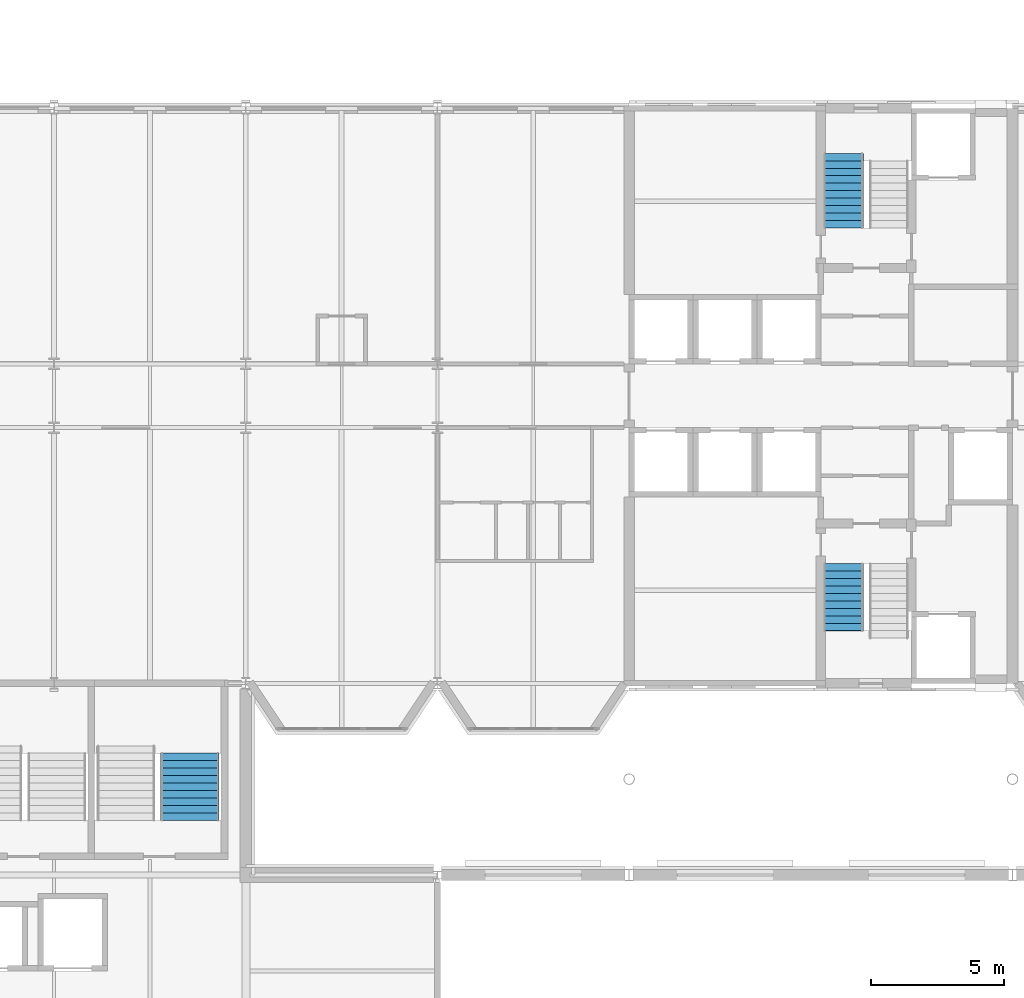
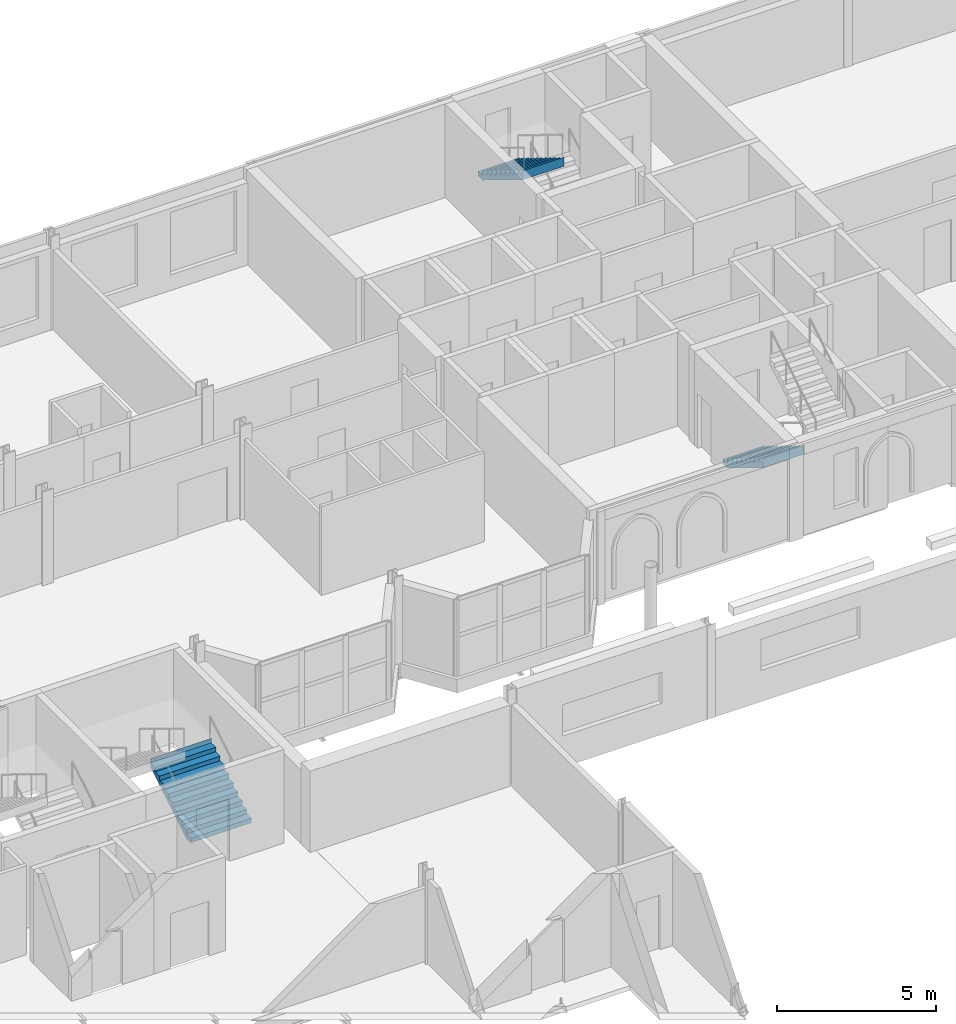
# One storey, part 92 of 124: 3 stair flights, 3 elements without a shape of their own.
"""IFC4 building model written with IfcOpenShell, lengths in metres."""

from ifc_helpers import new_model, si_unit, direction, frame, origin, place, context, subcontext, project, spatial, polyline, outline, extrude, material, type_object, element, aggregate, save


model = new_model("IFC4")

# Units and contexts
model_context = context("Model", 3, precision=1e-05, world=origin(), true_north=direction((0.0, 1.0)))
body_context = subcontext(model_context, "Body", "Model", "MODEL_VIEW")
ifc_project = project(units=[si_unit("LENGTHUNIT", "METRE"), si_unit("AREAUNIT", "SQUARE_METRE"), si_unit("VOLUMEUNIT", "CUBIC_METRE"), si_unit("PLANEANGLEUNIT", "RADIAN"), si_unit("MASSUNIT", "GRAM", prefix="KILO")], contexts=[model_context])

# Site, building, storey
site_placement = place(None, origin())
site = spatial("IfcSite", under=ifc_project, at=site_placement, CompositionType="ELEMENT")
building_placement = place(site_placement, origin())
building = spatial("IfcBuilding", under=site, at=building_placement, Name="Kupolbacken Congress Centre", CompositionType="ELEMENT")
storey_placement = place(building_placement, frame((0.0, 0.0, 10.800048828125)))
storey = spatial("IfcBuildingStorey", under=building, at=storey_placement, Name="L03", CompositionType="ELEMENT", Elevation=10.800048828125)

# Stair, stair flight
ifc_material_1 = material(Name="Concrete C30/37", Category="concrete")
stair_type_1 = type_object("IfcStairType", Name="ST13 stair 2200", PredefinedType="TWO_STRAIGHT_RUN_STAIR", material=ifc_material_1)
stair_1_placement = place(storey_placement, origin())
stair_1 = element("IfcStair", 1, at=stair_1_placement, inside=storey, type_object=stair_type_1, Name="C/stair/PS2NE/L03", PredefinedType="NOTDEFINED")
ifc_material_2 = material(Name="Concrete C30/37", Category="concrete")
stair_flight_type_1 = type_object("IfcStairFlightType", Name="FL13 stair flight 2200 x 10 risers", PredefinedType="STRAIGHT", material=ifc_material_2)
stair_flight_1_placement = place(storey_placement, frame((77.10009765625, 117.2548828125, 0.0), z_axis=(0.0, 0.0, 1.0), x_axis=(0.0, 1.0, 0.0)))
stair_flight_1 = element("IfcStairFlight", 2, at=stair_flight_1_placement, type_object=stair_flight_type_1, Name="PS2NE flight 1", NumberOfRisers=10, NumberOfTreads=9, PredefinedType="STRAIGHT", RiserHeight=0.171428571, TreadLength=0.28, context=body_context, shape_type="SweptSolid", body=[
    extrude(outline(polyline([(0.0, 0.0), (0.0, 0.0009765625), (0.0, 0.002197265625), (0.0, 0.003173828125), (0.0, 0.004150390625), (0.0, 0.00537109375), (0.0, 0.00634765625), (0.0, 0.007568359375), (0.0, 0.008544921875), (0.0, 0.009521484375), (0.0, 0.0107421875), (0.0, 0.01171875), (0.0, 0.0126953125), (0.0, 0.013916015625), (0.0, 0.014892578125), (0.0, 0.015869140625), (0.0, 0.01708984375), (0.0, 0.01806640625), (0.0, 0.019287109375), (0.0, 0.020263671875), (0.0, 0.021240234375), (0.0, 0.0224609375), (0.0, 0.0234375), (0.0, 0.0244140625), (0.0, 0.025634765625), (0.0, 0.026611328125), (0.0, 0.027587890625), (0.0, 0.02880859375), (0.0, 0.02978515625), (0.0, 0.03076171875), (0.0, 0.031982421875), (0.0, 0.032958984375), (0.0, 0.0341796875), (0.0, 0.03515625), (0.0, 0.0361328125), (0.0, 0.037353515625), (0.0, 0.038330078125), (0.0, 0.039306640625), (0.0, 0.04052734375), (0.0, 0.04150390625), (0.0, 0.04248046875), (0.0, 0.043701171875), (0.0, 0.044677734375), (0.0, 0.0458984375), (0.0, 0.046875), (0.0, 0.0478515625), (0.0, 0.049072265625), (0.0, 0.050048828125), (0.0, 0.051025390625), (0.0, 0.05224609375), (0.0, 0.05322265625), (0.0, 0.05419921875), (0.0, 0.055419921875), (0.0, 0.056396484375), (0.0, 0.0576171875), (0.0, 0.05859375), (0.0, 0.0595703125), (0.0, 0.060791015625), (0.0, 0.061767578125), (0.0, 0.062744140625), (0.0, 0.06396484375), (0.0, 0.06494140625), (0.0, 0.06591796875), (0.0, 0.067138671875), (0.0, 0.068115234375), (0.0, 0.069091796875), (0.0, 0.0703125), (0.0, 0.0712890625), (0.0, 0.072509765625), (0.0, 0.073486328125), (0.0, 0.074462890625), (0.0, 0.07568359375), (0.0, 0.07666015625), (0.0, 0.07763671875), (0.0, 0.078857421875), (0.0, 0.079833984375), (0.0, 0.080810546875), (0.0, 0.08203125), (0.0, 0.0830078125), (0.0, 0.084228515625), (0.0, 0.085205078125), (0.0, 0.086181640625), (0.0, 0.08740234375), (0.0, 0.08837890625), (0.0, 0.08935546875), (0.0, 0.090576171875), (0.0, 0.091552734375), (0.0, 0.092529296875), (0.0, 0.09375), (0.0, 0.0947265625), (0.0, 0.095947265625), (0.0, 0.096923828125), (0.0, 0.097900390625), (0.0, 0.09912109375), (0.0, 0.10009765625), (0.0, 0.10107421875), (0.0, 0.102294921875), (0.0, 0.103271484375), (0.0, 0.104248046875), (0.0, 0.10546875), (0.0, 0.1064453125), (0.0, 0.107421875), (0.0, 0.108642578125), (0.0, 0.109619140625), (0.0, 0.11083984375), (0.0, 0.11181640625), (0.0, 0.11279296875), (0.0, 0.114013671875), (0.0, 0.114990234375), (0.0, 0.115966796875), (0.0, 0.1171875), (0.0, 0.1181640625), (0.0, 0.119140625), (0.0, 0.120361328125), (0.0, 0.121337890625), (0.0, 0.12255859375), (0.0, 0.12353515625), (0.0, 0.12451171875), (0.0, 0.125732421875), (0.0, 0.126708984375), (0.0, 0.127685546875), (0.0, 0.12890625), (0.0, 0.1298828125), (0.0, 0.130859375), (0.0, 0.132080078125), (0.0, 0.133056640625), (0.0, 0.13427734375), (0.0, 0.13525390625), (0.0, 0.13623046875), (0.0, 0.137451171875), (0.0, 0.138427734375), (0.0, 0.139404296875), (0.0, 0.140625), (0.0, 0.1416015625), (0.0, 0.142578125), (0.0, 0.143798828125), (0.0, 0.144775390625), (0.0, 0.145751953125), (0.0, 0.14697265625), (0.0, 0.14794921875), (0.0, 0.149169921875), (0.0, 0.150146484375), (0.0, 0.151123046875), (0.0, 0.15234375), (0.0, 0.1533203125), (0.0, 0.154296875), (0.0, 0.155517578125), (0.0, 0.156494140625), (0.0, 0.157470703125), (0.0, 0.15869140625), (0.0, 0.15966796875), (0.0, 0.160888671875), (0.0, 0.161865234375), (0.0, 0.162841796875), (0.0, 0.1640625), (0.0, 0.1650390625), (0.0, 0.166015625), (0.0, 0.167236328125), (0.0, 0.168212890625), (0.0, 0.169189453125), (0.0, 0.17041015625), (0.0, 0.17138671875), (0.280029296875, 0.17138671875), (0.280029296875, 0.3427734375), (0.56005859375, 0.3427734375), (0.56005859375, 0.514404296875), (0.840087890625, 0.514404296875), (0.840087890625, 0.685791015625), (1.1201171875, 0.685791015625), (1.1201171875, 0.857177734375), (1.39990234375, 0.857177734375), (1.39990234375, 1.028564453125), (1.679931640625, 1.028564453125), (1.679931640625, 1.199951171875), (1.9599609375, 1.199951171875), (1.9599609375, 1.371337890625), (2.239990234375, 1.371337890625), (2.239990234375, 1.54296875), (2.52001953125, 1.54296875), (2.52001953125, 1.71435546875), (2.52197265625, 1.71435546875), (2.52197265625, 1.712158203125), (2.52197265625, 1.7099609375), (2.52197265625, 1.707763671875), (2.52197265625, 1.70556640625), (2.52197265625, 1.70361328125), (2.52197265625, 1.701416015625), (2.52197265625, 1.69921875), (2.52197265625, 1.697021484375), (2.52197265625, 1.69482421875), (2.52197265625, 1.692626953125), (2.52197265625, 1.690673828125), (2.52197265625, 1.6884765625), (2.52197265625, 1.686279296875), (2.52197265625, 1.68408203125), (2.52197265625, 1.681884765625), (2.52197265625, 1.6796875), (2.52197265625, 1.677734375), (2.52197265625, 1.675537109375), (2.52197265625, 1.67333984375), (2.52197265625, 1.671142578125), (2.52197265625, 1.6689453125), (2.52197265625, 1.666748046875), (2.52197265625, 1.664794921875), (2.52197265625, 1.66259765625), (2.52197265625, 1.660400390625), (2.52197265625, 1.658203125), (2.52197265625, 1.656005859375), (2.52197265625, 1.65380859375), (2.52197265625, 1.65185546875), (2.52197265625, 1.649658203125), (2.52197265625, 1.6474609375), (2.52197265625, 1.645263671875), (2.52197265625, 1.64306640625), (2.52197265625, 1.640869140625), (2.52197265625, 1.638916015625), (2.52197265625, 1.63671875), (2.52197265625, 1.634521484375), (2.52197265625, 1.63232421875), (2.52197265625, 1.630126953125), (2.52197265625, 1.6279296875), (2.52197265625, 1.6259765625), (2.52197265625, 1.623779296875), (2.52197265625, 1.62158203125), (2.52197265625, 1.619384765625), (2.52197265625, 1.6171875), (2.52197265625, 1.614990234375), (2.52197265625, 1.613037109375), (2.52197265625, 1.61083984375), (2.52197265625, 1.608642578125), (2.52197265625, 1.6064453125), (2.52197265625, 1.604248046875), (2.52197265625, 1.60205078125), (2.52197265625, 1.60009765625), (2.52197265625, 1.597900390625), (2.52197265625, 1.595703125), (2.52197265625, 1.593505859375), (2.52197265625, 1.59130859375), (2.52197265625, 1.589111328125), (2.52197265625, 1.587158203125), (2.52197265625, 1.5849609375), (2.52197265625, 1.582763671875), (2.52197265625, 1.58056640625), (2.52197265625, 1.578369140625), (2.52197265625, 1.576171875), (2.52197265625, 1.57421875), (2.52197265625, 1.572021484375), (2.52197265625, 1.56982421875), (2.52197265625, 1.567626953125), (2.52197265625, 1.5654296875), (2.52197265625, 1.563232421875), (2.52197265625, 1.561279296875), (2.52197265625, 1.55908203125), (2.52197265625, 1.556884765625), (2.52197265625, 1.5546875), (2.52197265625, 1.552490234375), (2.52197265625, 1.55029296875), (2.52197265625, 1.54833984375), (2.52197265625, 1.546142578125), (2.52197265625, 1.5439453125), (2.52197265625, 1.541748046875), (2.52197265625, 1.53955078125), (2.52197265625, 1.537353515625), (2.52197265625, 1.535400390625), (2.52197265625, 1.533203125), (2.52197265625, 1.531005859375), (2.52197265625, 1.52880859375), (2.52197265625, 1.526611328125), (2.52197265625, 1.5244140625), (2.52197265625, 1.5224609375), (2.52197265625, 1.520263671875), (2.52197265625, 1.51806640625), (2.52197265625, 1.515869140625), (2.52197265625, 1.513671875), (2.52197265625, 1.511474609375), (2.52197265625, 1.509521484375), (2.52197265625, 1.50732421875), (2.52197265625, 1.505126953125), (2.52197265625, 1.5029296875), (2.52197265625, 1.500732421875), (2.52197265625, 1.49853515625), (2.52197265625, 1.49658203125), (2.52197265625, 1.494384765625), (2.52197265625, 1.4921875), (2.52197265625, 1.489990234375), (2.52197265625, 1.48779296875), (2.52197265625, 1.485595703125), (2.52197265625, 1.483642578125), (2.52197265625, 1.4814453125), (2.52197265625, 1.479248046875), (2.52197265625, 1.47705078125), (2.52197265625, 1.474853515625), (2.52197265625, 1.47265625), (2.52197265625, 1.470703125), (2.52197265625, 1.468505859375), (2.52197265625, 1.46630859375), (2.52197265625, 1.464111328125), (2.52197265625, 1.4619140625), (2.52197265625, 1.459716796875), (2.52197265625, 1.457763671875), (2.52197265625, 1.45556640625), (2.52197265625, 1.453369140625), (2.52197265625, 1.451171875), (2.52197265625, 1.448974609375), (2.52197265625, 1.44677734375), (2.52197265625, 1.44482421875), (2.52197265625, 1.442626953125), (2.52197265625, 1.4404296875), (2.52197265625, 1.438232421875), (2.52197265625, 1.43603515625), (2.52197265625, 1.433837890625), (2.52197265625, 1.431884765625), (2.52197265625, 1.4296875), (2.52197265625, 1.427490234375), (2.52197265625, 1.42529296875), (2.52197265625, 1.423095703125), (2.52197265625, 1.4208984375), (2.52197265625, 1.4189453125), (2.52197265625, 1.416748046875), (2.52197265625, 1.41455078125), (2.52197265625, 1.412353515625), (2.52197265625, 1.41015625), (2.52197265625, 1.407958984375), (2.52197265625, 1.406005859375), (2.52197265625, 1.40380859375), (2.52197265625, 1.401611328125), (2.52197265625, 1.3994140625), (2.52197265625, 1.397216796875), (2.52197265625, 1.39501953125), (2.52197265625, 1.39306640625), (2.52197265625, 1.390869140625), (2.52197265625, 1.388671875), (2.52197265625, 1.386474609375), (2.52197265625, 1.38427734375), (2.52197265625, 1.382080078125), (2.52197265625, 1.380126953125), (2.52197265625, 1.3779296875), (2.52197265625, 1.375732421875), (2.52197265625, 1.37353515625), (2.52197265625, 1.371337890625), (2.52197265625, 1.369140625), (2.52197265625, 1.3671875), (0.2890625, 0.0), (0.0, 0.0)])), frame((0.0, 1.10009765625, 0.0), z_axis=(0.0, -1.0, 0.0), x_axis=(1.0, 0.0, 0.0)), (0.0, 0.0, 1.0), 2.199951171875),
])
aggregate(stair_1, [stair_flight_1])

ifc_material_3 = material(Name="Steel S355", Category="steel")
stair_type_2 = type_object("IfcStairType", Name="ST2 stair 1500", PredefinedType="TWO_STRAIGHT_RUN_STAIR", material=ifc_material_3)
stair_2_placement = place(storey_placement, origin())
stair_2 = element("IfcStair", 3, at=stair_2_placement, inside=storey, type_object=stair_type_2, Name="C/stair/TS1/L03", PredefinedType="NOTDEFINED")
ifc_material_4 = material(Name="Steel S355", Category="steel")
stair_flight_type_2 = type_object("IfcStairFlightType", Name="FL3 stair flight 1500 x 10 risers", PredefinedType="STRAIGHT", material=ifc_material_4)
stair_flight_2_placement = place(storey_placement, frame((101.64990234375, 126.89501953125, 0.0), z_axis=(0.0, 0.0, 1.0), x_axis=(0.0, -1.0, 0.0)))
stair_flight_2 = element("IfcStairFlight", 4, at=stair_flight_2_placement, type_object=stair_flight_type_2, Name="TS1 flight 1", NumberOfRisers=10, NumberOfTreads=9, PredefinedType="STRAIGHT", RiserHeight=0.171428571, TreadLength=0.28, context=body_context, shape_type="SweptSolid", body=[
    extrude(outline(polyline([(0.0, 0.0), (0.0, 0.0009765625), (0.0, 0.002197265625), (0.0, 0.003173828125), (0.0, 0.004150390625), (0.0, 0.00537109375), (0.0, 0.00634765625), (0.0, 0.007568359375), (0.0, 0.008544921875), (0.0, 0.009521484375), (0.0, 0.0107421875), (0.0, 0.01171875), (0.0, 0.0126953125), (0.0, 0.013916015625), (0.0, 0.014892578125), (0.0, 0.015869140625), (0.0, 0.01708984375), (0.0, 0.01806640625), (0.0, 0.019287109375), (0.0, 0.020263671875), (0.0, 0.021240234375), (0.0, 0.0224609375), (0.0, 0.0234375), (0.0, 0.0244140625), (0.0, 0.025634765625), (0.0, 0.026611328125), (0.0, 0.027587890625), (0.0, 0.02880859375), (0.0, 0.02978515625), (0.0, 0.03076171875), (0.0, 0.031982421875), (0.0, 0.032958984375), (0.0, 0.0341796875), (0.0, 0.03515625), (0.0, 0.0361328125), (0.0, 0.037353515625), (0.0, 0.038330078125), (0.0, 0.039306640625), (0.0, 0.04052734375), (0.0, 0.04150390625), (0.0, 0.04248046875), (0.0, 0.043701171875), (0.0, 0.044677734375), (0.0, 0.0458984375), (0.0, 0.046875), (0.0, 0.0478515625), (0.0, 0.049072265625), (0.0, 0.050048828125), (0.0, 0.051025390625), (0.0, 0.05224609375), (0.0, 0.05322265625), (0.0, 0.05419921875), (0.0, 0.055419921875), (0.0, 0.056396484375), (0.0, 0.0576171875), (0.0, 0.05859375), (0.0, 0.0595703125), (0.0, 0.060791015625), (0.0, 0.061767578125), (0.0, 0.062744140625), (0.0, 0.06396484375), (0.0, 0.06494140625), (0.0, 0.06591796875), (0.0, 0.067138671875), (0.0, 0.068115234375), (0.0, 0.069091796875), (0.0, 0.0703125), (0.0, 0.0712890625), (0.0, 0.072509765625), (0.0, 0.073486328125), (0.0, 0.074462890625), (0.0, 0.07568359375), (0.0, 0.07666015625), (0.0, 0.07763671875), (0.0, 0.078857421875), (0.0, 0.079833984375), (0.0, 0.080810546875), (0.0, 0.08203125), (0.0, 0.0830078125), (0.0, 0.084228515625), (0.0, 0.085205078125), (0.0, 0.086181640625), (0.0, 0.08740234375), (0.0, 0.08837890625), (0.0, 0.08935546875), (0.0, 0.090576171875), (0.0, 0.091552734375), (0.0, 0.092529296875), (0.0, 0.09375), (0.0, 0.0947265625), (0.0, 0.095947265625), (0.0, 0.096923828125), (0.0, 0.097900390625), (0.0, 0.09912109375), (0.0, 0.10009765625), (0.0, 0.10107421875), (0.0, 0.102294921875), (0.0, 0.103271484375), (0.0, 0.104248046875), (0.0, 0.10546875), (0.0, 0.1064453125), (0.0, 0.107421875), (0.0, 0.108642578125), (0.0, 0.109619140625), (0.0, 0.11083984375), (0.0, 0.11181640625), (0.0, 0.11279296875), (0.0, 0.114013671875), (0.0, 0.114990234375), (0.0, 0.115966796875), (0.0, 0.1171875), (0.0, 0.1181640625), (0.0, 0.119140625), (0.0, 0.120361328125), (0.0, 0.121337890625), (0.0, 0.12255859375), (0.0, 0.12353515625), (0.0, 0.12451171875), (0.0, 0.125732421875), (0.0, 0.126708984375), (0.0, 0.127685546875), (0.0, 0.12890625), (0.0, 0.1298828125), (0.0, 0.130859375), (0.0, 0.132080078125), (0.0, 0.133056640625), (0.0, 0.13427734375), (0.0, 0.13525390625), (0.0, 0.13623046875), (0.0, 0.137451171875), (0.0, 0.138427734375), (0.0, 0.139404296875), (0.0, 0.140625), (0.0, 0.1416015625), (0.0, 0.142578125), (0.0, 0.143798828125), (0.0, 0.144775390625), (0.0, 0.145751953125), (0.0, 0.14697265625), (0.0, 0.14794921875), (0.0, 0.149169921875), (0.0, 0.150146484375), (0.0, 0.151123046875), (0.0, 0.15234375), (0.0, 0.1533203125), (0.0, 0.154296875), (0.0, 0.155517578125), (0.0, 0.156494140625), (0.0, 0.157470703125), (0.0, 0.15869140625), (0.0, 0.15966796875), (0.0, 0.160888671875), (0.0, 0.161865234375), (0.0, 0.162841796875), (0.0, 0.1640625), (0.0, 0.1650390625), (0.0, 0.166015625), (0.0, 0.167236328125), (0.0, 0.168212890625), (0.0, 0.169189453125), (0.0, 0.17041015625), (0.0, 0.17138671875), (0.280029296875, 0.17138671875), (0.280029296875, 0.3427734375), (0.56005859375, 0.3427734375), (0.56005859375, 0.514404296875), (0.840087890625, 0.514404296875), (0.840087890625, 0.685791015625), (1.1201171875, 0.685791015625), (1.1201171875, 0.857177734375), (1.39990234375, 0.857177734375), (1.39990234375, 1.028564453125), (1.679931640625, 1.028564453125), (1.679931640625, 1.199951171875), (1.9599609375, 1.199951171875), (1.9599609375, 1.371337890625), (2.239990234375, 1.371337890625), (2.239990234375, 1.54296875), (2.52001953125, 1.54296875), (2.52001953125, 1.71435546875), (2.52197265625, 1.71435546875), (2.52197265625, 1.712158203125), (2.52197265625, 1.7099609375), (2.52197265625, 1.707763671875), (2.52197265625, 1.70556640625), (2.52197265625, 1.70361328125), (2.52197265625, 1.701416015625), (2.52197265625, 1.69921875), (2.52197265625, 1.697021484375), (2.52197265625, 1.69482421875), (2.52197265625, 1.692626953125), (2.52197265625, 1.690673828125), (2.52197265625, 1.6884765625), (2.52197265625, 1.686279296875), (2.52197265625, 1.68408203125), (2.52197265625, 1.681884765625), (2.52197265625, 1.6796875), (2.52197265625, 1.677734375), (2.52197265625, 1.675537109375), (2.52197265625, 1.67333984375), (2.52197265625, 1.671142578125), (2.52197265625, 1.6689453125), (2.52197265625, 1.666748046875), (2.52197265625, 1.664794921875), (2.52197265625, 1.66259765625), (2.52197265625, 1.660400390625), (2.52197265625, 1.658203125), (2.52197265625, 1.656005859375), (2.52197265625, 1.65380859375), (2.52197265625, 1.65185546875), (2.52197265625, 1.649658203125), (2.52197265625, 1.6474609375), (2.52197265625, 1.645263671875), (2.52197265625, 1.64306640625), (2.52197265625, 1.640869140625), (2.52197265625, 1.638916015625), (2.52197265625, 1.63671875), (2.52197265625, 1.634521484375), (2.52197265625, 1.63232421875), (2.52197265625, 1.630126953125), (2.52197265625, 1.6279296875), (2.52197265625, 1.6259765625), (2.52197265625, 1.623779296875), (2.52197265625, 1.62158203125), (2.52197265625, 1.619384765625), (2.52197265625, 1.6171875), (2.52197265625, 1.614990234375), (2.52197265625, 1.613037109375), (2.52197265625, 1.61083984375), (2.52197265625, 1.608642578125), (2.52197265625, 1.6064453125), (2.52197265625, 1.604248046875), (2.52197265625, 1.60205078125), (2.52197265625, 1.60009765625), (2.52197265625, 1.597900390625), (2.52197265625, 1.595703125), (2.52197265625, 1.593505859375), (2.52197265625, 1.59130859375), (2.52197265625, 1.589111328125), (2.52197265625, 1.587158203125), (2.52197265625, 1.5849609375), (2.52197265625, 1.582763671875), (2.52197265625, 1.58056640625), (2.52197265625, 1.578369140625), (2.52197265625, 1.576171875), (2.52197265625, 1.57421875), (2.52197265625, 1.572021484375), (2.52197265625, 1.56982421875), (2.52197265625, 1.567626953125), (2.52197265625, 1.5654296875), (2.52197265625, 1.563232421875), (2.52197265625, 1.561279296875), (2.52197265625, 1.55908203125), (2.52197265625, 1.556884765625), (2.52197265625, 1.5546875), (2.52197265625, 1.552490234375), (2.52197265625, 1.55029296875), (2.52197265625, 1.54833984375), (2.52197265625, 1.546142578125), (2.52197265625, 1.5439453125), (2.52197265625, 1.541748046875), (2.52197265625, 1.53955078125), (2.52197265625, 1.537353515625), (2.52197265625, 1.535400390625), (2.52197265625, 1.533203125), (2.52197265625, 1.531005859375), (2.52197265625, 1.52880859375), (2.52197265625, 1.526611328125), (2.52197265625, 1.5244140625), (2.52197265625, 1.5224609375), (2.52197265625, 1.520263671875), (2.52197265625, 1.51806640625), (2.52197265625, 1.515869140625), (2.52197265625, 1.513671875), (2.52197265625, 1.511474609375), (2.52197265625, 1.509521484375), (2.52197265625, 1.50732421875), (2.52197265625, 1.505126953125), (2.52197265625, 1.5029296875), (2.52197265625, 1.500732421875), (2.52197265625, 1.49853515625), (2.52197265625, 1.49658203125), (2.52197265625, 1.494384765625), (2.52197265625, 1.4921875), (2.52197265625, 1.489990234375), (2.52197265625, 1.48779296875), (2.52197265625, 1.485595703125), (2.52197265625, 1.483642578125), (2.52197265625, 1.4814453125), (2.52197265625, 1.479248046875), (2.52197265625, 1.47705078125), (2.52197265625, 1.474853515625), (2.52197265625, 1.47265625), (2.52197265625, 1.470703125), (2.52197265625, 1.468505859375), (2.52197265625, 1.46630859375), (2.52197265625, 1.464111328125), (2.52197265625, 1.4619140625), (2.52197265625, 1.459716796875), (2.52197265625, 1.457763671875), (2.52197265625, 1.45556640625), (2.52197265625, 1.453369140625), (2.52197265625, 1.451171875), (2.52197265625, 1.448974609375), (2.52197265625, 1.44677734375), (2.52197265625, 1.44482421875), (2.52197265625, 1.442626953125), (2.52197265625, 1.4404296875), (2.52197265625, 1.438232421875), (2.52197265625, 1.43603515625), (2.52197265625, 1.433837890625), (2.52197265625, 1.431884765625), (2.52197265625, 1.4296875), (2.52197265625, 1.427490234375), (2.52197265625, 1.42529296875), (2.52197265625, 1.423095703125), (2.52197265625, 1.4208984375), (2.52197265625, 1.4189453125), (2.52197265625, 1.416748046875), (2.52197265625, 1.41455078125), (2.52197265625, 1.412353515625), (2.52197265625, 1.41015625), (2.52197265625, 1.407958984375), (2.52197265625, 1.406005859375), (2.52197265625, 1.40380859375), (2.52197265625, 1.401611328125), (2.52197265625, 1.3994140625), (2.52197265625, 1.397216796875), (2.52197265625, 1.39501953125), (2.52197265625, 1.39306640625), (2.52197265625, 1.390869140625), (2.52197265625, 1.388671875), (2.52197265625, 1.386474609375), (2.52197265625, 1.38427734375), (2.52197265625, 1.382080078125), (2.52197265625, 1.380126953125), (2.52197265625, 1.3779296875), (2.52197265625, 1.375732421875), (2.52197265625, 1.37353515625), (2.52197265625, 1.371337890625), (2.52197265625, 1.369140625), (2.52197265625, 1.3671875), (0.2890625, 0.0), (0.0, 0.0)])), frame((0.0, 0.75, 0.0), z_axis=(0.0, -1.0, 0.0), x_axis=(1.0, 0.0, 0.0)), (0.0, 0.0, 1.0), 1.5),
])
aggregate(stair_2, [stair_flight_2])

stair_3_placement = place(storey_placement, origin())
stair_3 = element("IfcStair", 5, at=stair_3_placement, inside=storey, type_object=stair_type_2, Name="C/stair/TS2/L03", PredefinedType="NOTDEFINED")
ifc_material_5 = material(Name="Steel S355", Category="steel")
stair_flight_type_3 = type_object("IfcStairFlightType", Name="FL4 stair flight 1500 x 11 risers", PredefinedType="STRAIGHT", material=ifc_material_5)
stair_flight_3_placement = place(storey_placement, frame((101.64990234375, 142.304931640625, 1.71435546875), z_axis=(0.0, 0.0, 1.0), x_axis=(0.0, -1.0, 0.0)))
stair_flight_3 = element("IfcStairFlight", 6, at=stair_flight_3_placement, type_object=stair_flight_type_3, Name="TS2 flight 2", NumberOfRisers=11, NumberOfTreads=10, PredefinedType="STRAIGHT", RiserHeight=0.171428571, TreadLength=0.28, context=body_context, shape_type="SweptSolid", body=[
    extrude(outline(polyline([(0.0, 0.0), (0.0, 0.0009765625), (0.0, 0.002197265625), (0.0, 0.003173828125), (0.0, 0.004150390625), (0.0, 0.00537109375), (0.0, 0.00634765625), (0.0, 0.007568359375), (0.0, 0.008544921875), (0.0, 0.009521484375), (0.0, 0.0107421875), (0.0, 0.01171875), (0.0, 0.0126953125), (0.0, 0.013916015625), (0.0, 0.014892578125), (0.0, 0.015869140625), (0.0, 0.01708984375), (0.0, 0.01806640625), (0.0, 0.019287109375), (0.0, 0.020263671875), (0.0, 0.021240234375), (0.0, 0.0224609375), (0.0, 0.0234375), (0.0, 0.0244140625), (0.0, 0.025634765625), (0.0, 0.026611328125), (0.0, 0.027587890625), (0.0, 0.02880859375), (0.0, 0.02978515625), (0.0, 0.03076171875), (0.0, 0.031982421875), (0.0, 0.032958984375), (0.0, 0.0341796875), (0.0, 0.03515625), (0.0, 0.0361328125), (0.0, 0.037353515625), (0.0, 0.038330078125), (0.0, 0.039306640625), (0.0, 0.04052734375), (0.0, 0.04150390625), (0.0, 0.04248046875), (0.0, 0.043701171875), (0.0, 0.044677734375), (0.0, 0.0458984375), (0.0, 0.046875), (0.0, 0.0478515625), (0.0, 0.049072265625), (0.0, 0.050048828125), (0.0, 0.051025390625), (0.0, 0.05224609375), (0.0, 0.05322265625), (0.0, 0.05419921875), (0.0, 0.055419921875), (0.0, 0.056396484375), (0.0, 0.0576171875), (0.0, 0.05859375), (0.0, 0.0595703125), (0.0, 0.060791015625), (0.0, 0.061767578125), (0.0, 0.062744140625), (0.0, 0.06396484375), (0.0, 0.06494140625), (0.0, 0.06591796875), (0.0, 0.067138671875), (0.0, 0.068115234375), (0.0, 0.069091796875), (0.0, 0.0703125), (0.0, 0.0712890625), (0.0, 0.072509765625), (0.0, 0.073486328125), (0.0, 0.074462890625), (0.0, 0.07568359375), (0.0, 0.07666015625), (0.0, 0.07763671875), (0.0, 0.078857421875), (0.0, 0.079833984375), (0.0, 0.080810546875), (0.0, 0.08203125), (0.0, 0.0830078125), (0.0, 0.084228515625), (0.0, 0.085205078125), (0.0, 0.086181640625), (0.0, 0.08740234375), (0.0, 0.08837890625), (0.0, 0.08935546875), (0.0, 0.090576171875), (0.0, 0.091552734375), (0.0, 0.092529296875), (0.0, 0.09375), (0.0, 0.0947265625), (0.0, 0.095947265625), (0.0, 0.096923828125), (0.0, 0.097900390625), (0.0, 0.09912109375), (0.0, 0.10009765625), (0.0, 0.10107421875), (0.0, 0.102294921875), (0.0, 0.103271484375), (0.0, 0.104248046875), (0.0, 0.10546875), (0.0, 0.1064453125), (0.0, 0.107421875), (0.0, 0.108642578125), (0.0, 0.109619140625), (0.0, 0.11083984375), (0.0, 0.11181640625), (0.0, 0.11279296875), (0.0, 0.114013671875), (0.0, 0.114990234375), (0.0, 0.115966796875), (0.0, 0.1171875), (0.0, 0.1181640625), (0.0, 0.119140625), (0.0, 0.120361328125), (0.0, 0.121337890625), (0.0, 0.12255859375), (0.0, 0.12353515625), (0.0, 0.12451171875), (0.0, 0.125732421875), (0.0, 0.126708984375), (0.0, 0.127685546875), (0.0, 0.12890625), (0.0, 0.1298828125), (0.0, 0.130859375), (0.0, 0.132080078125), (0.0, 0.133056640625), (0.0, 0.13427734375), (0.0, 0.13525390625), (0.0, 0.13623046875), (0.0, 0.137451171875), (0.0, 0.138427734375), (0.0, 0.139404296875), (0.0, 0.140625), (0.0, 0.1416015625), (0.0, 0.142578125), (0.0, 0.143798828125), (0.0, 0.144775390625), (0.0, 0.145751953125), (0.0, 0.14697265625), (0.0, 0.14794921875), (0.0, 0.149169921875), (0.0, 0.150146484375), (0.0, 0.151123046875), (0.0, 0.15234375), (0.0, 0.1533203125), (0.0, 0.154296875), (0.0, 0.155517578125), (0.0, 0.156494140625), (0.0, 0.157470703125), (0.0, 0.15869140625), (0.0, 0.15966796875), (0.0, 0.160888671875), (0.0, 0.161865234375), (0.0, 0.162841796875), (0.0, 0.1640625), (0.0, 0.1650390625), (0.0, 0.166015625), (0.0, 0.167236328125), (0.0, 0.168212890625), (0.0, 0.169189453125), (0.0, 0.17041015625), (0.0, 0.17138671875), (0.280029296875, 0.17138671875), (0.280029296875, 0.3427734375), (0.56005859375, 0.3427734375), (0.56005859375, 0.514404296875), (0.840087890625, 0.514404296875), (0.840087890625, 0.685791015625), (1.1201171875, 0.685791015625), (1.1201171875, 0.857177734375), (1.39990234375, 0.857177734375), (1.39990234375, 1.028564453125), (1.679931640625, 1.028564453125), (1.679931640625, 1.199951171875), (1.9599609375, 1.199951171875), (1.9599609375, 1.371337890625), (2.239990234375, 1.371337890625), (2.239990234375, 1.54296875), (2.52001953125, 1.54296875), (2.52001953125, 1.71435546875), (2.800048828125, 1.71435546875), (2.800048828125, 1.8857421875), (2.802001953125, 1.8857421875), (2.802001953125, 1.883544921875), (2.802001953125, 1.88134765625), (2.802001953125, 1.879150390625), (2.802001953125, 1.877197265625), (2.802001953125, 1.875), (2.802001953125, 1.872802734375), (2.802001953125, 1.87060546875), (2.802001953125, 1.868408203125), (2.802001953125, 1.8662109375), (2.802001953125, 1.8642578125), (2.802001953125, 1.862060546875), (2.802001953125, 1.85986328125), (2.802001953125, 1.857666015625), (2.802001953125, 1.85546875), (2.802001953125, 1.853271484375), (2.802001953125, 1.851318359375), (2.802001953125, 1.84912109375), (2.802001953125, 1.846923828125), (2.802001953125, 1.8447265625), (2.802001953125, 1.842529296875), (2.802001953125, 1.84033203125), (2.802001953125, 1.83837890625), (2.802001953125, 1.836181640625), (2.802001953125, 1.833984375), (2.802001953125, 1.831787109375), (2.802001953125, 1.82958984375), (2.802001953125, 1.827392578125), (2.802001953125, 1.825439453125), (2.802001953125, 1.8232421875), (2.802001953125, 1.821044921875), (2.802001953125, 1.81884765625), (2.802001953125, 1.816650390625), (2.802001953125, 1.814453125), (2.802001953125, 1.8125), (2.802001953125, 1.810302734375), (2.802001953125, 1.80810546875), (2.802001953125, 1.805908203125), (2.802001953125, 1.8037109375), (2.802001953125, 1.801513671875), (2.802001953125, 1.799560546875), (2.802001953125, 1.79736328125), (2.802001953125, 1.795166015625), (2.802001953125, 1.79296875), (2.802001953125, 1.790771484375), (2.802001953125, 1.78857421875), (2.802001953125, 1.78662109375), (2.802001953125, 1.784423828125), (2.802001953125, 1.7822265625), (2.802001953125, 1.780029296875), (2.802001953125, 1.77783203125), (2.802001953125, 1.775634765625), (2.802001953125, 1.773681640625), (2.802001953125, 1.771484375), (2.802001953125, 1.769287109375), (2.802001953125, 1.76708984375), (2.802001953125, 1.764892578125), (2.802001953125, 1.7626953125), (2.802001953125, 1.7607421875), (2.802001953125, 1.758544921875), (2.802001953125, 1.75634765625), (2.802001953125, 1.754150390625), (2.802001953125, 1.751953125), (2.802001953125, 1.749755859375), (2.802001953125, 1.747802734375), (2.802001953125, 1.74560546875), (2.802001953125, 1.743408203125), (2.802001953125, 1.7412109375), (2.802001953125, 1.739013671875), (2.802001953125, 1.73681640625), (2.802001953125, 1.73486328125), (2.802001953125, 1.732666015625), (2.802001953125, 1.73046875), (2.802001953125, 1.728271484375), (2.802001953125, 1.72607421875), (2.802001953125, 1.723876953125), (2.802001953125, 1.721923828125), (2.802001953125, 1.7197265625), (2.802001953125, 1.717529296875), (2.802001953125, 1.71533203125), (2.802001953125, 1.713134765625), (2.802001953125, 1.7109375), (2.802001953125, 1.708984375), (2.802001953125, 1.706787109375), (2.802001953125, 1.70458984375), (2.802001953125, 1.702392578125), (2.802001953125, 1.7001953125), (2.802001953125, 1.697998046875), (2.802001953125, 1.696044921875), (2.802001953125, 1.69384765625), (2.802001953125, 1.691650390625), (2.802001953125, 1.689453125), (2.802001953125, 1.687255859375), (2.802001953125, 1.68505859375), (2.802001953125, 1.68310546875), (2.802001953125, 1.680908203125), (2.802001953125, 1.6787109375), (2.802001953125, 1.676513671875), (2.802001953125, 1.67431640625), (2.802001953125, 1.672119140625), (2.802001953125, 1.670166015625), (2.802001953125, 1.66796875), (2.802001953125, 1.665771484375), (2.802001953125, 1.66357421875), (2.802001953125, 1.661376953125), (2.802001953125, 1.6591796875), (2.802001953125, 1.6572265625), (2.802001953125, 1.655029296875), (2.802001953125, 1.65283203125), (2.802001953125, 1.650634765625), (2.802001953125, 1.6484375), (2.802001953125, 1.646240234375), (2.802001953125, 1.644287109375), (2.802001953125, 1.64208984375), (2.802001953125, 1.639892578125), (2.802001953125, 1.6376953125), (2.802001953125, 1.635498046875), (2.802001953125, 1.63330078125), (2.802001953125, 1.63134765625), (2.802001953125, 1.629150390625), (2.802001953125, 1.626953125), (2.802001953125, 1.624755859375), (2.802001953125, 1.62255859375), (2.802001953125, 1.620361328125), (2.802001953125, 1.618408203125), (2.802001953125, 1.6162109375), (2.802001953125, 1.614013671875), (2.802001953125, 1.61181640625), (2.802001953125, 1.609619140625), (2.802001953125, 1.607421875), (2.802001953125, 1.60546875), (2.802001953125, 1.603271484375), (2.802001953125, 1.60107421875), (2.802001953125, 1.598876953125), (2.802001953125, 1.5966796875), (2.802001953125, 1.594482421875), (2.802001953125, 1.592529296875), (2.802001953125, 1.59033203125), (2.802001953125, 1.588134765625), (2.802001953125, 1.5859375), (2.802001953125, 1.583740234375), (2.802001953125, 1.58154296875), (2.802001953125, 1.57958984375), (2.802001953125, 1.577392578125), (2.802001953125, 1.5751953125), (2.802001953125, 1.572998046875), (2.802001953125, 1.57080078125), (2.802001953125, 1.568603515625), (2.802001953125, 1.566650390625), (2.802001953125, 1.564453125), (2.802001953125, 1.562255859375), (2.802001953125, 1.56005859375), (2.802001953125, 1.557861328125), (2.802001953125, 1.5556640625), (2.802001953125, 1.5537109375), (2.802001953125, 1.551513671875), (2.802001953125, 1.54931640625), (2.802001953125, 1.547119140625), (2.802001953125, 1.544921875), (2.802001953125, 1.542724609375), (2.802001953125, 1.540771484375), (2.802001953125, 1.53857421875), (0.2890625, 0.0), (0.0, 0.0)])), frame((0.0, 0.75, 0.0), z_axis=(0.0, -1.0, 0.0), x_axis=(1.0, 0.0, 0.0)), (0.0, 0.0, 1.0), 1.5),
])
aggregate(stair_3, [stair_flight_3])

save(model, "model.ifc")
